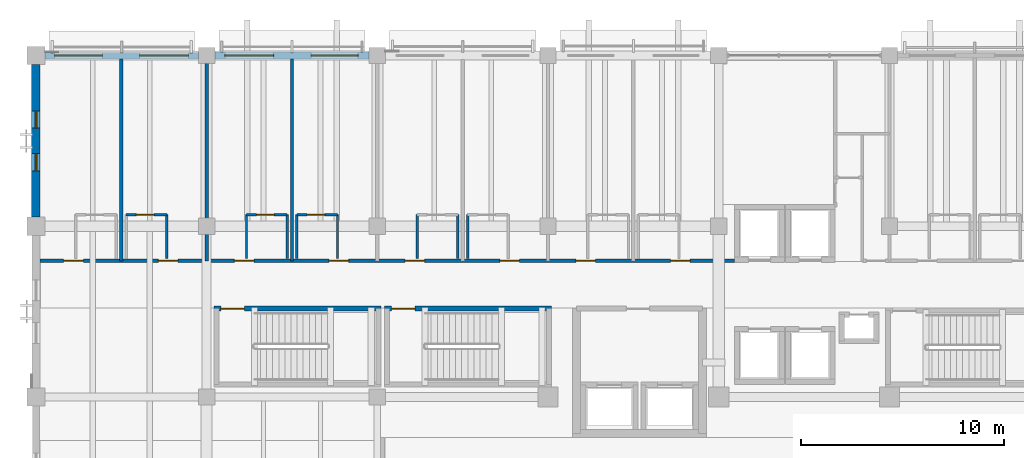
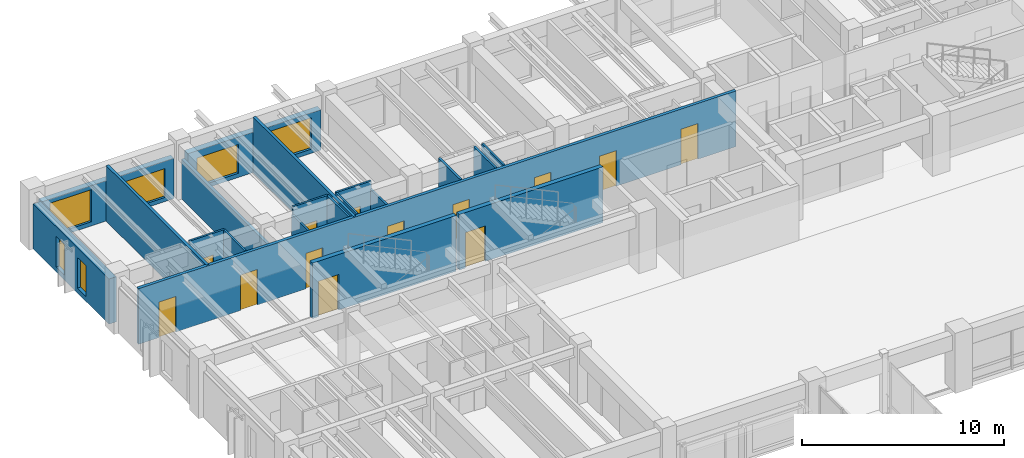
# One storey, part 72 of 118: 20 walls, 13 doors, 6 windows, 19 openings.
"""IFC4 building model written with IfcOpenShell, lengths in metres."""

from ifc_helpers import new_model, si_unit, direction, frame, frame_2d, origin, place, context, subcontext, project, spatial, rectangle, extrude, material, layer, layer_set, type_object, element, fill, save


model = new_model("IFC4")

# Units and contexts
model_context = context("Model", 3, precision=1e-05, world=origin(), true_north=direction((0.0, 1.0)))
body_context = subcontext(model_context, "Body", "Model", "MODEL_VIEW")
ifc_project = project(units=[si_unit("LENGTHUNIT", "METRE"), si_unit("AREAUNIT", "SQUARE_METRE"), si_unit("VOLUMEUNIT", "CUBIC_METRE"), si_unit("PLANEANGLEUNIT", "RADIAN"), si_unit("MASSUNIT", "GRAM", prefix="KILO")], contexts=[model_context])

# Site, building, storey
site_placement = place(None, origin())
site = spatial("IfcSite", under=ifc_project, at=site_placement, CompositionType="ELEMENT")
building_placement = place(site_placement, origin())
building = spatial("IfcBuilding", under=site, at=building_placement, Name="Cumbredor Promenade Congress Hotel", CompositionType="ELEMENT")
storey_placement = place(building_placement, frame((0.0, 0.0, 3.919921875)))
storey = spatial("IfcBuildingStorey", under=building, at=storey_placement, Name="L01", CompositionType="ELEMENT", Elevation=3.919921875)

# Wall, opening, door
ifc_material_1 = material(Name="Moisture-resistant gypsum board on steel studs", Category="steel")
ifc_layer_1 = layer(ifc_material_1, 0.114990234375, Name="Moisture-resistant gypsum board on steel studs", Category="steel")
ifc_layer_set_1 = layer_set([ifc_layer_1], Name="Moisture-resistant gypsum board on steel studs")
wall_type_1 = type_object("IfcWallType", Name="WL-BATH-115", PredefinedType="PARTITIONING", material=ifc_layer_set_1)
wall_1_placement = place(storey_placement, frame((4.43994140625, 109.77001953125, 0.0), z_axis=(0.0, 0.0, 1.0), x_axis=(1.0, 0.0, 0.0)))
wall_1 = element("IfcWall", 1, at=wall_1_placement, inside=storey, type_object=wall_type_1, Name="L01 Interior Partition W-L01-BH-0102", PredefinedType="PARTITIONING", context=body_context, shape_type="SweptSolid", body=[
    extrude(rectangle(XDim=2.0, YDim=0.114990234375, at=frame_2d((1.0, 0.0))), origin(), (0.0, 0.0, 1.0), 3.360107421875),
])
opening_1_placement = place(wall_1_placement, frame((0.5, 0.0, 0.0)))
opening_1 = element("IfcOpeningElement", 2, at=opening_1_placement, cuts=wall_1, Name="Opening ID-01", PredefinedType="OPENING", context=body_context, shape_type="SweptSolid", body=[
    extrude(rectangle(XDim=0.860107421875, YDim=2.050048828125, at=frame_2d((0.43017578125, 1.02490234375))), frame((0.0, 0.0673828125, 0.0), z_axis=(0.0, -1.0, 0.0), x_axis=(1.0, 0.0, 0.0)), (0.0, 0.0, 1.0), 0.135009765625),
])
ifc_material_2 = material(Name="Kiln-dried tropical hardwood", Category="wood")
door_type_1 = type_object("IfcDoorType", Name="DR-BATH-860", OperationType="NOTDEFINED", PredefinedType="DOOR", material=ifc_material_2)
door_1_placement = place(opening_1_placement, origin())
door_1 = element("IfcDoor", 3, at=door_1_placement, inside=storey, type_object=door_type_1, Name="L01 Interior Door W-L01-BH-0102-01", OperationType="SINGLE_SWING_RIGHT", OverallHeight=2.050048828125, OverallWidth=0.860107421875, PredefinedType="DOOR", context=body_context, shape_type="SweptSolid", body=[
    extrude(rectangle(XDim=0.860107421875, YDim=2.050048828125, at=frame_2d((0.43017578125, 1.02490234375))), frame((0.0, 0.02490234375, 0.0), z_axis=(0.0, -1.0, 0.0), x_axis=(1.0, 0.0, 0.0)), (0.0, 0.0, 1.0), 0.050048828125),
])
fill(opening_1, door_1)

# Wall
wall_2_placement = place(storey_placement, frame((6.43994140625, 107.6201171875, 0.0), z_axis=(0.0, 0.0, 1.0), x_axis=(0.0, 1.0, 0.0)))
element("IfcWall", 4, at=wall_2_placement, inside=storey, type_object=wall_type_1, Name="L01 Interior Partition W-L01-BV2-0102", PredefinedType="PARTITIONING", context=body_context, shape_type="SweptSolid", body=[
    extrude(rectangle(XDim=2.14990234375, YDim=0.114990234375, at=frame_2d((1.074951171875, 0.0))), origin(), (0.0, 0.0, 1.0), 3.360107421875),
])

# Wall, opening, door
wall_3_placement = place(storey_placement, frame((10.360107421875, 109.77001953125, 0.0), z_axis=(0.0, 0.0, 1.0), x_axis=(1.0, 0.0, 0.0)))
wall_3 = element("IfcWall", 5, at=wall_3_placement, inside=storey, type_object=wall_type_1, Name="L01 Interior Partition W-L01-BH-0103", PredefinedType="PARTITIONING", context=body_context, shape_type="SweptSolid", body=[
    extrude(rectangle(XDim=2.0, YDim=0.114990234375, at=frame_2d((1.0, 0.0))), origin(), (0.0, 0.0, 1.0), 3.360107421875),
])
opening_2_placement = place(wall_3_placement, frame((0.5, 0.0, 0.0)))
opening_2 = element("IfcOpeningElement", 6, at=opening_2_placement, cuts=wall_3, Name="Opening ID-01", PredefinedType="OPENING", context=body_context, shape_type="SweptSolid", body=[
    extrude(rectangle(XDim=0.860107421875, YDim=2.050048828125, at=frame_2d((0.43017578125, 1.02490234375))), frame((0.0, 0.0673828125, 0.0), z_axis=(0.0, -1.0, 0.0), x_axis=(1.0, 0.0, 0.0)), (0.0, 0.0, 1.0), 0.135009765625),
])
door_2_placement = place(opening_2_placement, origin())
door_2 = element("IfcDoor", 7, at=door_2_placement, inside=storey, type_object=door_type_1, Name="L01 Interior Door W-L01-BH-0103-01", OperationType="SINGLE_SWING_LEFT", OverallHeight=2.050048828125, OverallWidth=0.860107421875, PredefinedType="DOOR", context=body_context, shape_type="SweptSolid", body=[
    extrude(rectangle(XDim=0.860107421875, YDim=2.050048828125, at=frame_2d((0.43017578125, 1.02490234375))), frame((0.0, 0.02490234375, 0.0), z_axis=(0.0, -1.0, 0.0), x_axis=(1.0, 0.0, 0.0)), (0.0, 0.0, 1.0), 0.050048828125),
])
fill(opening_2, door_2)

# Walls
wall_4_placement = place(storey_placement, frame((10.360107421875, 107.6201171875, 0.0), z_axis=(0.0, 0.0, 1.0), x_axis=(0.0, 1.0, 0.0)))
element("IfcWall", 8, at=wall_4_placement, inside=storey, type_object=wall_type_1, Name="L01 Interior Partition W-L01-BV1-0103", PredefinedType="PARTITIONING", context=body_context, shape_type="SweptSolid", body=[
    extrude(rectangle(XDim=2.14990234375, YDim=0.114990234375, at=frame_2d((1.074951171875, 0.0))), origin(), (0.0, 0.0, 1.0), 2.882080078125),
])
wall_5_placement = place(storey_placement, frame((12.360107421875, 107.6201171875, 0.0), z_axis=(0.0, 0.0, 1.0), x_axis=(0.0, 1.0, 0.0)))
element("IfcWall", 9, at=wall_5_placement, inside=storey, type_object=wall_type_1, Name="L01 Interior Partition W-L01-BV2-0103", PredefinedType="PARTITIONING", context=body_context, shape_type="SweptSolid", body=[
    extrude(rectangle(XDim=2.14990234375, YDim=0.114990234375, at=frame_2d((1.074951171875, 0.0))), origin(), (0.0, 0.0, 1.0), 3.360107421875),
])

# Wall, opening, door
wall_6_placement = place(storey_placement, frame((12.840087890625, 109.77001953125, 0.0), z_axis=(0.0, 0.0, 1.0), x_axis=(1.0, 0.0, 0.0)))
wall_6 = element("IfcWall", 10, at=wall_6_placement, inside=storey, type_object=wall_type_1, Name="L01 Interior Partition W-L01-BH-0104", PredefinedType="PARTITIONING", context=body_context, shape_type="SweptSolid", body=[
    extrude(rectangle(XDim=2.0, YDim=0.114990234375, at=frame_2d((1.0, 0.0))), origin(), (0.0, 0.0, 1.0), 3.360107421875),
])
opening_3_placement = place(wall_6_placement, frame((0.5, 0.0, 0.0)))
opening_3 = element("IfcOpeningElement", 11, at=opening_3_placement, cuts=wall_6, Name="Opening ID-01", PredefinedType="OPENING", context=body_context, shape_type="SweptSolid", body=[
    extrude(rectangle(XDim=0.860107421875, YDim=2.050048828125, at=frame_2d((0.43017578125, 1.02490234375))), frame((0.0, 0.0673828125, 0.0), z_axis=(0.0, -1.0, 0.0), x_axis=(1.0, 0.0, 0.0)), (0.0, 0.0, 1.0), 0.135009765625),
])
door_3_placement = place(opening_3_placement, origin())
door_3 = element("IfcDoor", 12, at=door_3_placement, inside=storey, type_object=door_type_1, Name="L01 Interior Door W-L01-BH-0104-01", OperationType="SINGLE_SWING_RIGHT", OverallHeight=2.050048828125, OverallWidth=0.860107421875, PredefinedType="DOOR", context=body_context, shape_type="SweptSolid", body=[
    extrude(rectangle(XDim=0.860107421875, YDim=2.050048828125, at=frame_2d((0.43017578125, 1.02490234375))), frame((0.0, 0.02490234375, 0.0), z_axis=(0.0, -1.0, 0.0), x_axis=(1.0, 0.0, 0.0)), (0.0, 0.0, 1.0), 0.050048828125),
])
fill(opening_3, door_3)

# Walls
wall_7_placement = place(storey_placement, frame((12.840087890625, 107.6201171875, 0.0), z_axis=(0.0, 0.0, 1.0), x_axis=(0.0, 1.0, 0.0)))
element("IfcWall", 13, at=wall_7_placement, inside=storey, type_object=wall_type_1, Name="L01 Interior Partition W-L01-BV1-0104", PredefinedType="PARTITIONING", context=body_context, shape_type="SweptSolid", body=[
    extrude(rectangle(XDim=2.14990234375, YDim=0.114990234375, at=frame_2d((1.074951171875, 0.0))), origin(), (0.0, 0.0, 1.0), 3.360107421875),
])
wall_8_placement = place(storey_placement, frame((14.840087890625, 107.6201171875, 0.0), z_axis=(0.0, 0.0, 1.0), x_axis=(0.0, 1.0, 0.0)))
element("IfcWall", 14, at=wall_8_placement, inside=storey, type_object=wall_type_1, Name="L01 Interior Partition W-L01-BV2-0104", PredefinedType="PARTITIONING", context=body_context, shape_type="SweptSolid", body=[
    extrude(rectangle(XDim=2.14990234375, YDim=0.114990234375, at=frame_2d((1.074951171875, 0.0))), origin(), (0.0, 0.0, 1.0), 2.882080078125),
])
for number, where, z_axis, x_axis, name in (
    (15, (18.760009765625, 107.6201171875, 0.0), (0.0, 0.0, 1.0), (0.0, 1.0, 0.0), "L01 Interior Partition W-L01-BV1-0105"),
    (16, (20.760009765625, 107.6201171875, 0.0), (0.0, 0.0, 1.0), (0.0, 1.0, 0.0), "L01 Interior Partition W-L01-BV2-0105"),
    (17, (21.239990234375, 107.6201171875, 0.0), (0.0, 0.0, 1.0), (0.0, 1.0, 0.0), "L01 Interior Partition W-L01-BV1-0106"),
):
    element("IfcWall", number, at=place(storey_placement, frame(where, z_axis=z_axis, x_axis=x_axis)), inside=storey, type_object=wall_type_1, Name=name, PredefinedType="PARTITIONING", context=body_context, shape_type="SweptSolid", body=[
        extrude(rectangle(XDim=2.14990234375, YDim=0.114990234375, at=frame_2d((1.074951171875, 0.0))), origin(), (0.0, 0.0, 1.0), 3.360107421875),
    ])

# Wall, openings, doors
ifc_material_3 = material(Name="Fire-rated hotel corridor wall")
ifc_layer_2 = layer(ifc_material_3, 0.179931640625, Name="Fire-rated hotel corridor wall")
ifc_layer_set_2 = layer_set([ifc_layer_2], Name="Fire-rated hotel corridor wall")
wall_type_2 = type_object("IfcWallType", Name="WL-CORR-180", PredefinedType="PARTITIONING", material=ifc_layer_set_2)
wall_9_placement = place(storey_placement, frame((0.18994140625, 107.5, 0.0), z_axis=(0.0, 0.0, 1.0), x_axis=(1.0, 0.0, 0.0)))
wall_9 = element("IfcWall", 18, at=wall_9_placement, inside=storey, type_object=wall_type_2, Name="L01 Interior Partition W-L01-CORR-NW", PredefinedType="PARTITIONING", context=body_context, shape_type="SweptSolid", body=[
    extrude(rectangle(XDim=34.18017578125, YDim=0.179931640625, at=frame_2d((17.090087890625, 0.0))), origin(), (0.0, 0.0, 1.0), 3.360107421875),
])
opening_4_placement = place(wall_9_placement, frame((1.179931640625, 0.0, 0.0)))
opening_4 = element("IfcOpeningElement", 19, at=opening_4_placement, cuts=wall_9, Name="Opening FD-01", PredefinedType="OPENING", context=body_context, shape_type="SweptSolid", body=[
    extrude(rectangle(XDim=0.9599609375, YDim=2.14990234375, at=frame_2d((0.47998046875, 1.074951171875))), frame((0.0, 0.10009765625, 0.0), z_axis=(0.0, -1.0, 0.0), x_axis=(1.0, 0.0, 0.0)), (0.0, 0.0, 1.0), 0.199951171875),
])
opening_5_placement = place(wall_9_placement, frame((5.840087890625, 0.0, 0.0)))
opening_5 = element("IfcOpeningElement", 20, at=opening_5_placement, cuts=wall_9, Name="Opening FD-01", PredefinedType="OPENING", context=body_context, shape_type="SweptSolid", body=[
    extrude(rectangle(XDim=0.9599609375, YDim=2.14990234375, at=frame_2d((0.47998046875, 1.074951171875))), frame((0.0, 0.10009765625, 0.0), z_axis=(0.0, -1.0, 0.0), x_axis=(1.0, 0.0, 0.0)), (0.0, 0.0, 1.0), 0.199951171875),
])
opening_6_placement = place(wall_9_placement, frame((9.580078125, 0.0, 0.0)))
opening_6 = element("IfcOpeningElement", 21, at=opening_6_placement, cuts=wall_9, Name="Opening FD-01", PredefinedType="OPENING", context=body_context, shape_type="SweptSolid", body=[
    extrude(rectangle(XDim=0.9599609375, YDim=2.14990234375, at=frame_2d((0.47998046875, 1.074951171875))), frame((0.0, 0.10009765625, 0.0), z_axis=(0.0, -1.0, 0.0), x_axis=(1.0, 0.0, 0.0)), (0.0, 0.0, 1.0), 0.199951171875),
])
opening_7_placement = place(wall_9_placement, frame((14.239990234375, 0.0, 0.0)))
opening_7 = element("IfcOpeningElement", 22, at=opening_7_placement, cuts=wall_9, Name="Opening FD-01", PredefinedType="OPENING", context=body_context, shape_type="SweptSolid", body=[
    extrude(rectangle(XDim=0.9599609375, YDim=2.14990234375, at=frame_2d((0.47998046875, 1.074951171875))), frame((0.0, 0.10009765625, 0.0), z_axis=(0.0, -1.0, 0.0), x_axis=(1.0, 0.0, 0.0)), (0.0, 0.0, 1.0), 0.199951171875),
])
opening_8_placement = place(wall_9_placement, frame((17.97998046875, 0.0, 0.0)))
opening_8 = element("IfcOpeningElement", 23, at=opening_8_placement, cuts=wall_9, Name="Opening FD-01", PredefinedType="OPENING", context=body_context, shape_type="SweptSolid", body=[
    extrude(rectangle(XDim=0.9599609375, YDim=2.14990234375, at=frame_2d((0.47998046875, 1.074951171875))), frame((0.0, 0.10009765625, 0.0), z_axis=(0.0, -1.0, 0.0), x_axis=(1.0, 0.0, 0.0)), (0.0, 0.0, 1.0), 0.199951171875),
])
opening_9_placement = place(wall_9_placement, frame((22.639892578125, 0.0, 0.0)))
opening_9 = element("IfcOpeningElement", 24, at=opening_9_placement, cuts=wall_9, Name="Opening FD-01", PredefinedType="OPENING", context=body_context, shape_type="SweptSolid", body=[
    extrude(rectangle(XDim=0.9599609375, YDim=2.14990234375, at=frame_2d((0.47998046875, 1.074951171875))), frame((0.0, 0.10009765625, 0.0), z_axis=(0.0, -1.0, 0.0), x_axis=(1.0, 0.0, 0.0)), (0.0, 0.0, 1.0), 0.199951171875),
])
opening_10_placement = place(wall_9_placement, frame((26.3798828125, 0.0, 0.0)))
opening_10 = element("IfcOpeningElement", 25, at=opening_10_placement, cuts=wall_9, Name="Opening FD-01", PredefinedType="OPENING", context=body_context, shape_type="SweptSolid", body=[
    extrude(rectangle(XDim=0.9599609375, YDim=2.14990234375, at=frame_2d((0.47998046875, 1.074951171875))), frame((0.0, 0.10009765625, 0.0), z_axis=(0.0, -1.0, 0.0), x_axis=(1.0, 0.0, 0.0)), (0.0, 0.0, 1.0), 0.199951171875),
])
opening_11_placement = place(wall_9_placement, frame((31.0400390625, 0.0, 0.0)))
opening_11 = element("IfcOpeningElement", 26, at=opening_11_placement, cuts=wall_9, Name="Opening FD-01", PredefinedType="OPENING", context=body_context, shape_type="SweptSolid", body=[
    extrude(rectangle(XDim=0.9599609375, YDim=2.14990234375, at=frame_2d((0.47998046875, 1.074951171875))), frame((0.0, 0.10009765625, 0.0), z_axis=(0.0, -1.0, 0.0), x_axis=(1.0, 0.0, 0.0)), (0.0, 0.0, 1.0), 0.199951171875),
])
ifc_material_4 = material(Name="Solid-core fire-rated tropical hardwood", Category="wood")
door_type_2 = type_object("IfcDoorType", Name="DR-GUEST-FD30-950", OperationType="NOTDEFINED", PredefinedType="DOOR", material=ifc_material_4)
door_4_placement = place(opening_4_placement, origin())
door_4 = element("IfcDoor", 27, at=door_4_placement, inside=storey, type_object=door_type_2, Name="L01 Interior Door W-L01-CORR-NW-01", OperationType="SINGLE_SWING_RIGHT", OverallHeight=2.14990234375, OverallWidth=0.9599609375, PredefinedType="DOOR", context=body_context, shape_type="SweptSolid", body=[
    extrude(rectangle(XDim=0.9599609375, YDim=2.14990234375, at=frame_2d((0.47998046875, 1.074951171875))), frame((0.0, 0.02490234375, 0.0), z_axis=(0.0, -1.0, 0.0), x_axis=(1.0, 0.0, 0.0)), (0.0, 0.0, 1.0), 0.050048828125),
])
fill(opening_4, door_4)
door_5_placement = place(opening_5_placement, origin())
door_5 = element("IfcDoor", 28, at=door_5_placement, inside=storey, type_object=door_type_2, Name="L01 Interior Door W-L01-CORR-NW-02", OperationType="SINGLE_SWING_LEFT", OverallHeight=2.14990234375, OverallWidth=0.9599609375, PredefinedType="DOOR", context=body_context, shape_type="SweptSolid", body=[
    extrude(rectangle(XDim=0.9599609375, YDim=2.14990234375, at=frame_2d((0.47998046875, 1.074951171875))), frame((0.0, 0.02490234375, 0.0), z_axis=(0.0, -1.0, 0.0), x_axis=(1.0, 0.0, 0.0)), (0.0, 0.0, 1.0), 0.050048828125),
])
fill(opening_5, door_5)
door_6_placement = place(opening_6_placement, origin())
door_6 = element("IfcDoor", 29, at=door_6_placement, inside=storey, type_object=door_type_2, Name="L01 Interior Door W-L01-CORR-NW-03", OperationType="SINGLE_SWING_RIGHT", OverallHeight=2.14990234375, OverallWidth=0.9599609375, PredefinedType="DOOR", context=body_context, shape_type="SweptSolid", body=[
    extrude(rectangle(XDim=0.9599609375, YDim=2.14990234375, at=frame_2d((0.47998046875, 1.074951171875))), frame((0.0, 0.02490234375, 0.0), z_axis=(0.0, -1.0, 0.0), x_axis=(1.0, 0.0, 0.0)), (0.0, 0.0, 1.0), 0.050048828125),
])
fill(opening_6, door_6)
door_7_placement = place(opening_7_placement, origin())
door_7 = element("IfcDoor", 30, at=door_7_placement, inside=storey, type_object=door_type_2, Name="L01 Interior Door W-L01-CORR-NW-04", OperationType="SINGLE_SWING_LEFT", OverallHeight=2.14990234375, OverallWidth=0.9599609375, PredefinedType="DOOR", context=body_context, shape_type="SweptSolid", body=[
    extrude(rectangle(XDim=0.9599609375, YDim=2.14990234375, at=frame_2d((0.47998046875, 1.074951171875))), frame((0.0, 0.02490234375, 0.0), z_axis=(0.0, -1.0, 0.0), x_axis=(1.0, 0.0, 0.0)), (0.0, 0.0, 1.0), 0.050048828125),
])
fill(opening_7, door_7)
door_8_placement = place(opening_8_placement, origin())
door_8 = element("IfcDoor", 31, at=door_8_placement, inside=storey, type_object=door_type_2, Name="L01 Interior Door W-L01-CORR-NW-05", OperationType="SINGLE_SWING_RIGHT", OverallHeight=2.14990234375, OverallWidth=0.9599609375, PredefinedType="DOOR", context=body_context, shape_type="SweptSolid", body=[
    extrude(rectangle(XDim=0.9599609375, YDim=2.14990234375, at=frame_2d((0.47998046875, 1.074951171875))), frame((0.0, 0.02490234375, 0.0), z_axis=(0.0, -1.0, 0.0), x_axis=(1.0, 0.0, 0.0)), (0.0, 0.0, 1.0), 0.050048828125),
])
fill(opening_8, door_8)
door_9_placement = place(opening_9_placement, origin())
door_9 = element("IfcDoor", 32, at=door_9_placement, inside=storey, type_object=door_type_2, Name="L01 Interior Door W-L01-CORR-NW-06", OperationType="SINGLE_SWING_LEFT", OverallHeight=2.14990234375, OverallWidth=0.9599609375, PredefinedType="DOOR", context=body_context, shape_type="SweptSolid", body=[
    extrude(rectangle(XDim=0.9599609375, YDim=2.14990234375, at=frame_2d((0.47998046875, 1.074951171875))), frame((0.0, 0.02490234375, 0.0), z_axis=(0.0, -1.0, 0.0), x_axis=(1.0, 0.0, 0.0)), (0.0, 0.0, 1.0), 0.050048828125),
])
fill(opening_9, door_9)
door_10_placement = place(opening_10_placement, origin())
door_10 = element("IfcDoor", 33, at=door_10_placement, inside=storey, type_object=door_type_2, Name="L01 Interior Door W-L01-CORR-NW-07", OperationType="SINGLE_SWING_RIGHT", OverallHeight=2.14990234375, OverallWidth=0.9599609375, PredefinedType="DOOR", context=body_context, shape_type="SweptSolid", body=[
    extrude(rectangle(XDim=0.9599609375, YDim=2.14990234375, at=frame_2d((0.47998046875, 1.074951171875))), frame((0.0, 0.02490234375, 0.0), z_axis=(0.0, -1.0, 0.0), x_axis=(1.0, 0.0, 0.0)), (0.0, 0.0, 1.0), 0.050048828125),
])
fill(opening_10, door_10)
door_11_placement = place(opening_11_placement, origin())
door_11 = element("IfcDoor", 34, at=door_11_placement, inside=storey, type_object=door_type_2, Name="L01 Interior Door W-L01-CORR-NW-08", OperationType="SINGLE_SWING_LEFT", OverallHeight=2.14990234375, OverallWidth=0.9599609375, PredefinedType="DOOR", context=body_context, shape_type="SweptSolid", body=[
    extrude(rectangle(XDim=0.9599609375, YDim=2.14990234375, at=frame_2d((0.47998046875, 1.074951171875))), frame((0.0, 0.02490234375, 0.0), z_axis=(0.0, -1.0, 0.0), x_axis=(1.0, 0.0, 0.0)), (0.0, 0.0, 1.0), 0.050048828125),
])
fill(opening_11, door_11)

# Wall, openings, windows
ifc_material_5 = material(Name="Concrete C40/50", Category="concrete")
ifc_layer_3 = layer(ifc_material_5, 0.324951171875, Name="Concrete C40/50", Category="concrete")
ifc_layer_set_3 = layer_set([ifc_layer_3], Name="Concrete C40/50")
wall_type_3 = type_object("IfcWallType", Name="WL-EXT-325", PredefinedType="SOLIDWALL", material=ifc_layer_set_3)
wall_10_placement = place(storey_placement, frame((0.450927734375, 117.60009765625, 0.0), z_axis=(0.0, 0.0, 1.0), x_axis=(1.0, 0.0, 0.0)))
wall_10 = element("IfcWall", 35, at=wall_10_placement, inside=storey, type_object=wall_type_3, Name="L01 Stepped Congress Hotel Wing North Envelope Wall 1", PredefinedType="SOLIDWALL", context=body_context, shape_type="SweptSolid", body=[
    extrude(rectangle(XDim=7.548095703125, YDim=0.324951171875, at=frame_2d((3.77392578125, 0.0))), origin(), (0.0, 0.0, 1.0), 2.445068359375),
])
opening_12_placement = place(wall_10_placement, frame((0.47412109375, 0.0, 0.25)))
opening_12 = element("IfcOpeningElement", 36, at=opening_12_placement, cuts=wall_10, Name="Opening WN-08", PredefinedType="OPENING", context=body_context, shape_type="SweptSolid", body=[
    extrude(rectangle(XDim=2.35009765625, YDim=1.949951171875, at=frame_2d((1.175048828125, 0.97509765625))), frame((0.0, 0.17236328125, 0.0), z_axis=(0.0, -1.0, 0.0), x_axis=(1.0, 0.0, 0.0)), (0.0, 0.0, 1.0), 0.344970703125),
])
opening_13_placement = place(wall_10_placement, frame((4.64892578125, 0.0, 0.25)))
opening_13 = element("IfcOpeningElement", 37, at=opening_13_placement, cuts=wall_10, Name="Opening WN-26", PredefinedType="OPENING", context=body_context, shape_type="SweptSolid", body=[
    extrude(rectangle(XDim=2.39990234375, YDim=1.75, at=frame_2d((1.199951171875, 0.875))), frame((0.0, 0.17236328125, 0.0), z_axis=(0.0, -1.0, 0.0), x_axis=(1.0, 0.0, 0.0)), (0.0, 0.0, 1.0), 0.344970703125),
])
ifc_material_6 = material(Name="Thermally broken anodized aluminium and low-E glass", Category="aluminium")
window_type_1 = type_object("IfcWindowType", Name="Hospitality Floor-to-Ceiling Window WN-08 2350x1950", PartitioningType="DOUBLE_PANEL_VERTICAL", PredefinedType="WINDOW", material=ifc_material_6)
window_1_placement = place(opening_12_placement, origin())
window_1 = element("IfcWindow", 38, at=window_1_placement, inside=storey, type_object=window_type_1, Name="L01 Wide Hospitality Window 0200", OverallHeight=1.949951171875, OverallWidth=2.35009765625, PartitioningType="DOUBLE_PANEL_VERTICAL", PredefinedType="WINDOW", context=body_context, shape_type="SweptSolid", body=[
    extrude(rectangle(XDim=2.35009765625, YDim=1.949951171875, at=frame_2d((1.175048828125, 0.97509765625))), frame((0.0, 0.030029296875, 0.0), z_axis=(0.0, -1.0, 0.0), x_axis=(1.0, 0.0, 0.0)), (0.0, 0.0, 1.0), 0.06005859375),
])
fill(opening_12, window_1)
window_type_2 = type_object("IfcWindowType", Name="Hospitality Floor-to-Ceiling Window WN-26 2400x1750", PartitioningType="DOUBLE_PANEL_VERTICAL", PredefinedType="WINDOW", material=ifc_material_6)
window_2_placement = place(opening_13_placement, origin())
window_2 = element("IfcWindow", 39, at=window_2_placement, inside=storey, type_object=window_type_2, Name="L01 Wide Hospitality Window 0201", OverallHeight=1.75, OverallWidth=2.39990234375, PartitioningType="DOUBLE_PANEL_VERTICAL", PredefinedType="WINDOW", context=body_context, shape_type="SweptSolid", body=[
    extrude(rectangle(XDim=2.39990234375, YDim=1.75, at=frame_2d((1.199951171875, 0.875))), frame((0.0, 0.030029296875, 0.0), z_axis=(0.0, -1.0, 0.0), x_axis=(1.0, 0.0, 0.0)), (0.0, 0.0, 1.0), 0.06005859375),
])
fill(opening_13, window_2)

ifc_layer_4 = layer(ifc_material_5, 0.35009765625, Name="Concrete C40/50", Category="concrete")
ifc_layer_set_4 = layer_set([ifc_layer_4], Name="Concrete C40/50")
wall_type_4 = type_object("IfcWallType", Name="WL-EXT-350", PredefinedType="SOLIDWALL", material=ifc_layer_set_4)
wall_11_placement = place(storey_placement, frame((8.801025390625, 117.60009765625, 0.0), z_axis=(0.0, 0.0, 1.0), x_axis=(1.0, 0.0, 0.0)))
wall_11 = element("IfcWall", 40, at=wall_11_placement, inside=storey, type_object=wall_type_4, Name="L01 Stepped Congress Hotel Wing North Envelope Wall 2", PredefinedType="SOLIDWALL", context=body_context, shape_type="SweptSolid", body=[
    extrude(rectangle(XDim=7.597900390625, YDim=0.35009765625, at=frame_2d((3.798828125, 0.0))), origin(), (0.0, 0.0, 1.0), 2.445068359375),
])
opening_14_placement = place(wall_11_placement, frame((0.4990234375, 0.0, 0.25)))
opening_14 = element("IfcOpeningElement", 41, at=opening_14_placement, cuts=wall_11, Name="Opening WN-26", PredefinedType="OPENING", context=body_context, shape_type="SweptSolid", body=[
    extrude(rectangle(XDim=2.39990234375, YDim=1.75, at=frame_2d((1.199951171875, 0.875))), frame((0.0, 0.18505859375, 0.0), z_axis=(0.0, -1.0, 0.0), x_axis=(1.0, 0.0, 0.0)), (0.0, 0.0, 1.0), 0.3701171875),
])
opening_15_placement = place(wall_11_placement, frame((4.739013671875, 0.0, 0.25)))
opening_15 = element("IfcOpeningElement", 42, at=opening_15_placement, cuts=wall_11, Name="Opening WN-36", PredefinedType="OPENING", context=body_context, shape_type="SweptSolid", body=[
    extrude(rectangle(XDim=2.320068359375, YDim=1.89990234375, at=frame_2d((1.16015625, 0.949951171875))), frame((0.0, 0.18505859375, 0.0), z_axis=(0.0, -1.0, 0.0), x_axis=(1.0, 0.0, 0.0)), (0.0, 0.0, 1.0), 0.3701171875),
])
window_3_placement = place(opening_14_placement, origin())
window_3 = element("IfcWindow", 43, at=window_3_placement, inside=storey, type_object=window_type_2, Name="L01 Wide Hospitality Window 0202", OverallHeight=1.75, OverallWidth=2.39990234375, PartitioningType="DOUBLE_PANEL_VERTICAL", PredefinedType="WINDOW", context=body_context, shape_type="SweptSolid", body=[
    extrude(rectangle(XDim=2.39990234375, YDim=1.75, at=frame_2d((1.199951171875, 0.875))), frame((0.0, 0.030029296875, 0.0), z_axis=(0.0, -1.0, 0.0), x_axis=(1.0, 0.0, 0.0)), (0.0, 0.0, 1.0), 0.06005859375),
])
fill(opening_14, window_3)
window_type_3 = type_object("IfcWindowType", Name="Hospitality Floor-to-Ceiling Window WN-36 2320x1900", PartitioningType="DOUBLE_PANEL_VERTICAL", PredefinedType="WINDOW", material=ifc_material_6)
window_4_placement = place(opening_15_placement, origin())
window_4 = element("IfcWindow", 44, at=window_4_placement, inside=storey, type_object=window_type_3, Name="L01 Wide Hospitality Window 0203", OverallHeight=1.89990234375, OverallWidth=2.320068359375, PartitioningType="DOUBLE_PANEL_VERTICAL", PredefinedType="WINDOW", context=body_context, shape_type="SweptSolid", body=[
    extrude(rectangle(XDim=2.320068359375, YDim=1.89990234375, at=frame_2d((1.16015625, 0.949951171875))), frame((0.0, 0.030029296875, 0.0), z_axis=(0.0, -1.0, 0.0), x_axis=(1.0, 0.0, 0.0)), (0.0, 0.0, 1.0), 0.06005859375),
])
fill(opening_15, window_4)

ifc_layer_5 = layer(ifc_material_5, 0.425048828125, Name="Concrete C40/50", Category="concrete")
ifc_layer_set_5 = layer_set([ifc_layer_5], Name="Concrete C40/50")
wall_type_5 = type_object("IfcWallType", Name="WL-EXT-425", PredefinedType="SOLIDWALL", material=ifc_layer_set_5)
wall_12_placement = place(storey_placement, frame((0.0, 109.65087890625, 0.0), z_axis=(0.0, 0.0, 1.0), x_axis=(0.0, 1.0, 0.0)))
wall_12 = element("IfcWall", 45, at=wall_12_placement, inside=storey, type_object=wall_type_5, Name="L01 Stepped Congress Hotel Wing West Envelope Wall 4", PredefinedType="SOLIDWALL", context=body_context, shape_type="SweptSolid", body=[
    extrude(rectangle(XDim=7.498046875, YDim=0.425048828125, at=frame_2d((3.7490234375, 0.0))), origin(), (0.0, 0.0, 1.0), 2.734130859375),
])
opening_16_placement = place(wall_12_placement, frame((2.279052734375, 0.0, 0.300048828125)))
opening_16 = element("IfcOpeningElement", 46, at=opening_16_placement, cuts=wall_12, Name="Opening WN-47", PredefinedType="OPENING", context=body_context, shape_type="SweptSolid", body=[
    extrude(rectangle(XDim=0.840087890625, YDim=1.85009765625, at=frame_2d((0.419921875, 0.925048828125))), frame((0.0, 0.22265625, 0.0), z_axis=(0.0, -1.0, 0.0), x_axis=(1.0, 0.0, 0.0)), (0.0, 0.0, 1.0), 0.445068359375),
])
opening_17_placement = place(wall_12_placement, frame((4.37890625, 0.0, 0.300048828125)))
opening_17 = element("IfcOpeningElement", 47, at=opening_17_placement, cuts=wall_12, Name="Opening WN-47", PredefinedType="OPENING", context=body_context, shape_type="SweptSolid", body=[
    extrude(rectangle(XDim=0.840087890625, YDim=1.85009765625, at=frame_2d((0.419921875, 0.925048828125))), frame((0.0, 0.22265625, 0.0), z_axis=(0.0, -1.0, 0.0), x_axis=(1.0, 0.0, 0.0)), (0.0, 0.0, 1.0), 0.445068359375),
])
window_type_4 = type_object("IfcWindowType", Name="Vertical Slot Window WN-47 840x1850", PartitioningType="SINGLE_PANEL", PredefinedType="WINDOW", material=ifc_material_6)
window_5_placement = place(opening_16_placement, origin())
window_5 = element("IfcWindow", 48, at=window_5_placement, inside=storey, type_object=window_type_4, Name="L01 Vertical Slot Window 0224", OverallHeight=1.85009765625, OverallWidth=0.840087890625, PartitioningType="SINGLE_PANEL", PredefinedType="WINDOW", context=body_context, shape_type="SweptSolid", body=[
    extrude(rectangle(XDim=0.840087890625, YDim=1.85009765625, at=frame_2d((0.419921875, 0.925048828125))), frame((0.0, 0.030029296875, 0.0), z_axis=(0.0, -1.0, 0.0), x_axis=(1.0, 0.0, 0.0)), (0.0, 0.0, 1.0), 0.06005859375),
])
fill(opening_16, window_5)
window_6_placement = place(opening_17_placement, origin())
window_6 = element("IfcWindow", 49, at=window_6_placement, inside=storey, type_object=window_type_4, Name="L01 Vertical Slot Window 0225", OverallHeight=1.85009765625, OverallWidth=0.840087890625, PartitioningType="SINGLE_PANEL", PredefinedType="WINDOW", context=body_context, shape_type="SweptSolid", body=[
    extrude(rectangle(XDim=0.840087890625, YDim=1.85009765625, at=frame_2d((0.419921875, 0.925048828125))), frame((0.0, 0.030029296875, 0.0), z_axis=(0.0, -1.0, 0.0), x_axis=(1.0, 0.0, 0.0)), (0.0, 0.0, 1.0), 0.06005859375),
])
fill(opening_17, window_6)

# Wall, opening, door
ifc_layer_6 = layer(ifc_material_5, 0.2548828125, Name="Concrete C40/50", Category="concrete")
ifc_layer_set_6 = layer_set([ifc_layer_6], Name="Concrete C40/50")
wall_type_6 = type_object("IfcWallType", Name="WL-SHAFT-250", PredefinedType="SOLIDWALL", material=ifc_layer_set_6)
wall_13_placement = place(storey_placement, frame((8.75244140625, 105.14990234375, 0.0), z_axis=(0.0, 0.0, 1.0), x_axis=(1.0, 0.0, 0.0)))
wall_13 = element("IfcWall", 50, at=wall_13_placement, inside=storey, type_object=wall_type_6, Name="STAIR-ST-01-L01 Shaft Wall North", PredefinedType="SOLIDWALL", context=body_context, shape_type="SweptSolid", body=[
    extrude(rectangle(XDim=8.22509765625, YDim=0.2548828125, at=frame_2d((4.112548828125, 0.0))), origin(), (0.0, 0.0, 1.0), 3.360107421875),
])
opening_18_placement = place(wall_13_placement, frame((0.35009765625, 0.0, 0.0)))
opening_18 = element("IfcOpeningElement", 51, at=opening_18_placement, cuts=wall_13, Name="Opening SD-01", PredefinedType="OPENING", context=body_context, shape_type="SweptSolid", body=[
    extrude(rectangle(XDim=1.159912109375, YDim=2.14990234375, at=frame_2d((0.580078125, 1.074951171875))), frame((0.0, 0.137451171875, 0.0), z_axis=(0.0, -1.0, 0.0), x_axis=(1.0, 0.0, 0.0)), (0.0, 0.0, 1.0), 0.27490234375),
])
ifc_material_7 = material(Name="Painted galvanized steel fire door", Category="steel")
door_type_3 = type_object("IfcDoorType", Name="DR-STAIR-FD90-1150", OperationType="NOTDEFINED", PredefinedType="DOOR", material=ifc_material_7)
door_12_placement = place(opening_18_placement, origin())
door_12 = element("IfcDoor", 52, at=door_12_placement, inside=storey, type_object=door_type_3, Name="L01 Protected Exit Stair ST-01 Door", OperationType="SINGLE_SWING_LEFT", OverallHeight=2.14990234375, OverallWidth=1.159912109375, PredefinedType="DOOR", context=body_context, shape_type="SweptSolid", body=[
    extrude(rectangle(XDim=1.159912109375, YDim=2.14990234375, at=frame_2d((0.580078125, 1.074951171875))), frame((0.0, 0.02490234375, 0.0), z_axis=(0.0, -1.0, 0.0), x_axis=(1.0, 0.0, 0.0)), (0.0, 0.0, 1.0), 0.050048828125),
])
fill(opening_18, door_12)

wall_14_placement = place(storey_placement, frame((17.152587890625, 105.14990234375, 0.0), z_axis=(0.0, 0.0, 1.0), x_axis=(1.0, 0.0, 0.0)))
wall_14 = element("IfcWall", 53, at=wall_14_placement, inside=storey, type_object=wall_type_6, Name="STAIR-ST-02-L01 Shaft Wall North", PredefinedType="SOLIDWALL", context=body_context, shape_type="SweptSolid", body=[
    extrude(rectangle(XDim=8.224853515625, YDim=0.2548828125, at=frame_2d((4.1123046875, 0.0))), origin(), (0.0, 0.0, 1.0), 3.360107421875),
])
opening_19_placement = place(wall_14_placement, frame((0.35009765625, 0.0, 0.0)))
opening_19 = element("IfcOpeningElement", 54, at=opening_19_placement, cuts=wall_14, Name="Opening SD-01", PredefinedType="OPENING", context=body_context, shape_type="SweptSolid", body=[
    extrude(rectangle(XDim=1.159912109375, YDim=2.14990234375, at=frame_2d((0.580078125, 1.074951171875))), frame((0.0, 0.137451171875, 0.0), z_axis=(0.0, -1.0, 0.0), x_axis=(1.0, 0.0, 0.0)), (0.0, 0.0, 1.0), 0.27490234375),
])
door_13_placement = place(opening_19_placement, origin())
door_13 = element("IfcDoor", 55, at=door_13_placement, inside=storey, type_object=door_type_3, Name="L01 Protected Exit Stair ST-02 Door", OperationType="SINGLE_SWING_RIGHT", OverallHeight=2.14990234375, OverallWidth=1.159912109375, PredefinedType="DOOR", context=body_context, shape_type="SweptSolid", body=[
    extrude(rectangle(XDim=1.159912109375, YDim=2.14990234375, at=frame_2d((0.580078125, 1.074951171875))), frame((0.0, 0.02490234375, 0.0), z_axis=(0.0, -1.0, 0.0), x_axis=(1.0, 0.0, 0.0)), (0.0, 0.0, 1.0), 0.050048828125),
])
fill(opening_19, door_13)

# Walls
ifc_material_8 = material(Name="Fire-rated acoustic double-stud partition")
ifc_layer_7 = layer(ifc_material_8, 0.1650390625, Name="Fire-rated acoustic double-stud partition")
ifc_layer_set_7 = layer_set([ifc_layer_7], Name="Fire-rated acoustic double-stud partition")
wall_type_7 = type_object("IfcWallType", Name="WL-UNIT-165", PredefinedType="PARTITIONING", material=ifc_layer_set_7)
wall_15_placement = place(storey_placement, frame((4.199951171875, 107.5, 0.0), z_axis=(0.0, 0.0, 1.0), x_axis=(0.0, 1.0, 0.0)))
element("IfcWall", 56, at=wall_15_placement, inside=storey, type_object=wall_type_7, Name="L01 Interior Partition W-L01-N-DIV-0-M", PredefinedType="PARTITIONING", context=body_context, shape_type="SweptSolid", body=[
    extrude(rectangle(XDim=9.9375, YDim=0.1650390625, at=frame_2d((4.96875, 0.0))), origin(), (0.0, 0.0, 1.0), 3.360107421875),
])
wall_16_placement = place(storey_placement, frame((12.60009765625, 107.5, 0.0), z_axis=(0.0, 0.0, 1.0), x_axis=(0.0, 1.0, 0.0)))
element("IfcWall", 57, at=wall_16_placement, inside=storey, type_object=wall_type_7, Name="L01 Interior Partition W-L01-N-DIV-1-M", PredefinedType="PARTITIONING", context=body_context, shape_type="SweptSolid", body=[
    extrude(rectangle(XDim=9.925048828125, YDim=0.1650390625, at=frame_2d((4.96240234375, 0.0))), origin(), (0.0, 0.0, 1.0), 3.360107421875),
])
wall_17_placement = place(storey_placement, frame((8.39990234375, 107.5, 0.0), z_axis=(0.0, 0.0, 1.0), x_axis=(0.0, 1.0, 0.0)))
element("IfcWall", 58, at=wall_17_placement, inside=storey, type_object=wall_type_7, Name="L01 Interior Partition W-L01-N-DIV-1-G", PredefinedType="PARTITIONING", context=body_context, shape_type="SweptSolid", body=[
    extrude(rectangle(XDim=9.75, YDim=0.1650390625, at=frame_2d((4.875, 0.0))), origin(), (0.0, 0.0, 1.0), 2.39501953125),
])

save(model, "model.ifc")
